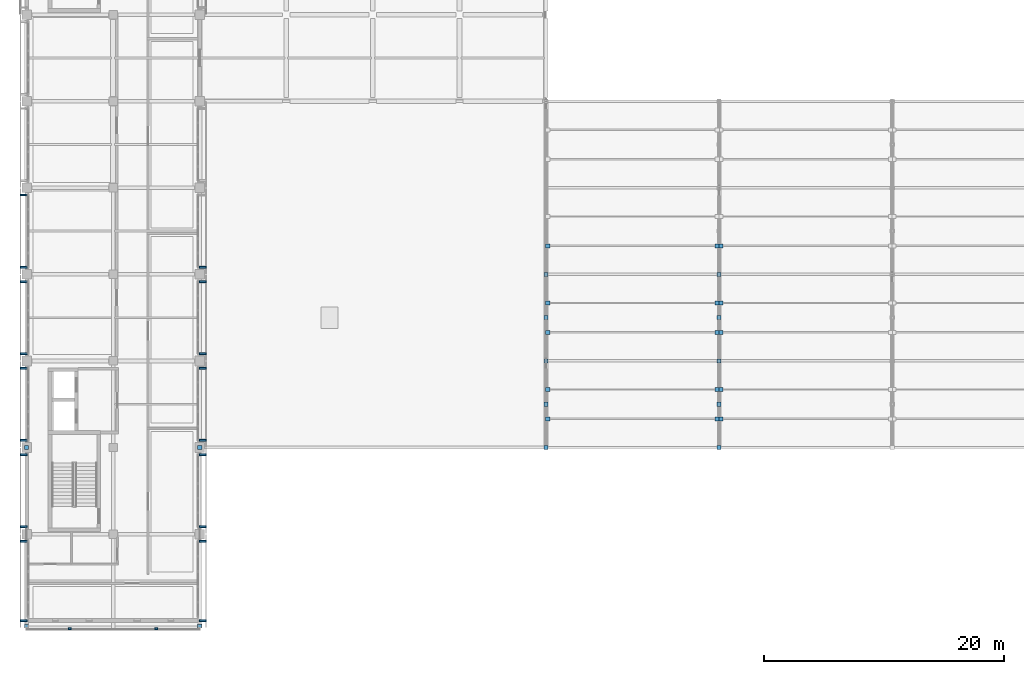
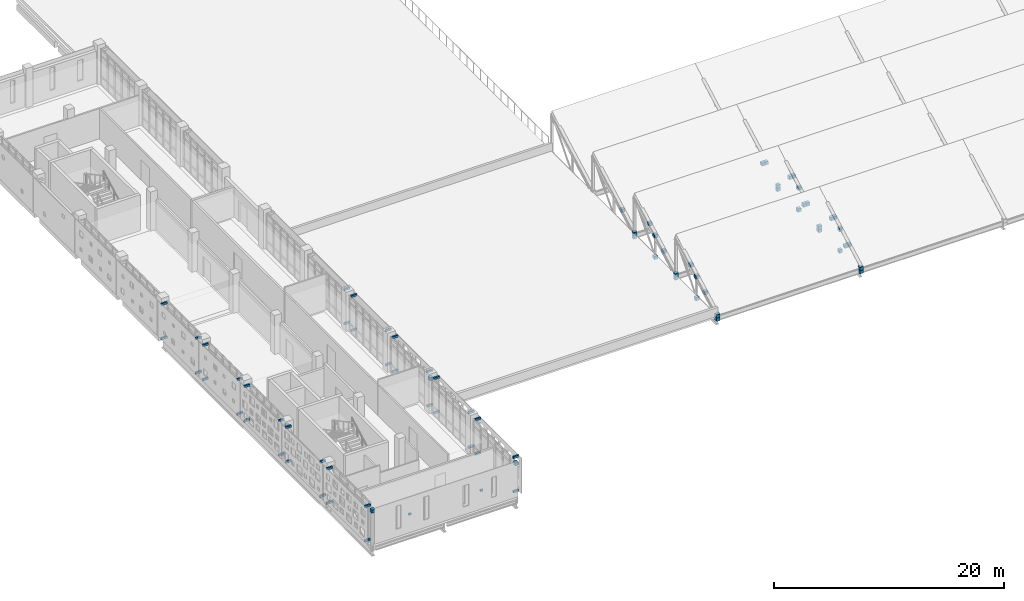
# One storey, part 41 of 51: 79 discrete accessories.
"""IFC4 building model written with IfcOpenShell, lengths in metres."""

from ifc_helpers import new_model, si_unit, direction, frame, origin, origin_2d, place, context, subcontext, project, spatial, rectangle, extrude, material, type_object, element, save


model = new_model("IFC4")

# Units and contexts
model_context = context("Model", 3, precision=1e-05, world=origin(), true_north=direction((0.0, 1.0)))
body_context = subcontext(model_context, "Body", "Model", "MODEL_VIEW")
ifc_project = project(units=[si_unit("LENGTHUNIT", "METRE"), si_unit("AREAUNIT", "SQUARE_METRE"), si_unit("VOLUMEUNIT", "CUBIC_METRE"), si_unit("PLANEANGLEUNIT", "RADIAN"), si_unit("MASSUNIT", "GRAM", prefix="KILO")], contexts=[model_context])

# Site, building, storey
site_placement = place(None, origin())
site = spatial("IfcSite", under=ifc_project, at=site_placement, CompositionType="ELEMENT")
building_placement = place(site_placement, origin())
building = spatial("IfcBuilding", under=site, at=building_placement, Name="Valkovuoma Quantum and Materials Research Institute", CompositionType="ELEMENT")
storey_placement = place(building_placement, frame((0.0, 0.0, 17.280029296875)))
storey = spatial("IfcBuildingStorey", under=building, at=storey_placement, Name="L04", CompositionType="ELEMENT", Elevation=17.280029296875)

# Discrete accessories
ifc_material_1 = material(Name="Steel S355J2", Category="steel")
discrete_accessory_type_1 = type_object("IfcDiscreteAccessoryType", Name="Brk-BRK-01", PredefinedType="BRACKET", material=ifc_material_1)
for number, where, z_axis, x_axis, name in (
    (1, (3.60009765625, 20.919921875, 1.81494140625), (0.0, 0.0, 1.0), (0.0, 1.0, 0.0), "L04 south end skin bracket 1"),
    (2, (10.800048828125, 20.919921875, 1.81494140625), (0.0, 0.0, 1.0), (0.0, 1.0, 0.0), "L04 south end skin bracket 2"),
):
    element("IfcDiscreteAccessory", number, at=place(storey_placement, frame(where, z_axis=z_axis, x_axis=x_axis)), inside=storey, type_object=discrete_accessory_type_1, Name=name, PredefinedType="BRACKET", context=body_context, shape_type="SweptSolid", body=[
        extrude(rectangle(XDim=0.159912109375, YDim=0.239990234375, at=origin_2d()), origin(), (0.0, 0.0, 1.0), 0.179931640625),
    ])
for number, where, z_axis, x_axis, name in (
    (3, (-0.25, 21.60009765625, -0.02978515625), (0.0, 0.0, 1.0), (1.0, 0.0, 0.0), "L04 screen bracket 00145"),
    (4, (-0.25, 28.199951171875, -0.02978515625), (0.0, 0.0, 1.0), (1.0, 0.0, 0.0), "L04 screen bracket 00146"),
    (5, (-0.25, 21.60009765625, 3.6201171875), (0.0, 0.0, 1.0), (1.0, 0.0, 0.0), "L04 screen bracket 00147"),
    (6, (-0.25, 28.199951171875, 3.6201171875), (0.0, 0.0, 1.0), (1.0, 0.0, 0.0), "L04 screen bracket 00148"),
    (7, (14.64990234375, 21.60009765625, -0.02978515625), (0.0, 0.0, 1.0), (1.0, 0.0, 0.0), "L04 screen bracket 00149"),
    (8, (14.64990234375, 28.199951171875, -0.02978515625), (0.0, 0.0, 1.0), (1.0, 0.0, 0.0), "L04 screen bracket 00150"),
    (9, (14.64990234375, 21.60009765625, 3.6201171875), (0.0, 0.0, 1.0), (1.0, 0.0, 0.0), "L04 screen bracket 00151"),
    (10, (14.64990234375, 28.199951171875, 3.6201171875), (0.0, 0.0, 1.0), (1.0, 0.0, 0.0), "L04 screen bracket 00152"),
    (11, (-0.25, 29.39990234375, -0.02978515625), (0.0, 0.0, 1.0), (1.0, 0.0, 0.0), "L04 screen bracket 00153"),
    (12, (-0.25, 35.39990234375, -0.02978515625), (0.0, 0.0, 1.0), (1.0, 0.0, 0.0), "L04 screen bracket 00154"),
    (13, (-0.25, 29.39990234375, 3.6201171875), (0.0, 0.0, 1.0), (1.0, 0.0, 0.0), "L04 screen bracket 00155"),
    (14, (-0.25, 35.39990234375, 3.6201171875), (0.0, 0.0, 1.0), (1.0, 0.0, 0.0), "L04 screen bracket 00156"),
    (15, (14.64990234375, 29.39990234375, -0.02978515625), (0.0, 0.0, 1.0), (1.0, 0.0, 0.0), "L04 screen bracket 00157"),
    (16, (14.64990234375, 35.39990234375, -0.02978515625), (0.0, 0.0, 1.0), (1.0, 0.0, 0.0), "L04 screen bracket 00158"),
    (17, (14.64990234375, 29.39990234375, 3.6201171875), (0.0, 0.0, 1.0), (1.0, 0.0, 0.0), "L04 screen bracket 00159"),
    (18, (14.64990234375, 35.39990234375, 3.6201171875), (0.0, 0.0, 1.0), (1.0, 0.0, 0.0), "L04 screen bracket 00160"),
    (19, (-0.25, 36.60009765625, -0.02978515625), (0.0, 0.0, 1.0), (1.0, 0.0, 0.0), "L04 screen bracket 00161"),
    (20, (-0.25, 42.60009765625, -0.02978515625), (0.0, 0.0, 1.0), (1.0, 0.0, 0.0), "L04 screen bracket 00162"),
    (21, (-0.25, 36.60009765625, 3.6201171875), (0.0, 0.0, 1.0), (1.0, 0.0, 0.0), "L04 screen bracket 00163"),
    (22, (-0.25, 42.60009765625, 3.6201171875), (0.0, 0.0, 1.0), (1.0, 0.0, 0.0), "L04 screen bracket 00164"),
    (23, (14.64990234375, 36.60009765625, -0.02978515625), (0.0, 0.0, 1.0), (1.0, 0.0, 0.0), "L04 screen bracket 00165"),
    (24, (14.64990234375, 42.60009765625, -0.02978515625), (0.0, 0.0, 1.0), (1.0, 0.0, 0.0), "L04 screen bracket 00166"),
    (25, (14.64990234375, 36.60009765625, 3.6201171875), (0.0, 0.0, 1.0), (1.0, 0.0, 0.0), "L04 screen bracket 00167"),
    (26, (14.64990234375, 42.60009765625, 3.6201171875), (0.0, 0.0, 1.0), (1.0, 0.0, 0.0), "L04 screen bracket 00168"),
    (27, (-0.25, 43.800048828125, -0.02978515625), (0.0, 0.0, 1.0), (1.0, 0.0, 0.0), "L04 screen bracket 00169"),
    (28, (-0.25, 49.800048828125, -0.02978515625), (0.0, 0.0, 1.0), (1.0, 0.0, 0.0), "L04 screen bracket 00170"),
    (29, (-0.25, 43.800048828125, 3.6201171875), (0.0, 0.0, 1.0), (1.0, 0.0, 0.0), "L04 screen bracket 00171"),
    (30, (-0.25, 49.800048828125, 3.6201171875), (0.0, 0.0, 1.0), (1.0, 0.0, 0.0), "L04 screen bracket 00172"),
    (31, (14.64990234375, 43.800048828125, -0.02978515625), (0.0, 0.0, 1.0), (1.0, 0.0, 0.0), "L04 screen bracket 00173"),
    (32, (14.64990234375, 49.800048828125, -0.02978515625), (0.0, 0.0, 1.0), (1.0, 0.0, 0.0), "L04 screen bracket 00174"),
    (33, (14.64990234375, 43.800048828125, 3.6201171875), (0.0, 0.0, 1.0), (1.0, 0.0, 0.0), "L04 screen bracket 00175"),
    (34, (14.64990234375, 49.800048828125, 3.6201171875), (0.0, 0.0, 1.0), (1.0, 0.0, 0.0), "L04 screen bracket 00176"),
    (35, (-0.25, 51.0, -0.02978515625), (0.0, 0.0, 1.0), (1.0, 0.0, 0.0), "L04 screen bracket 00177"),
    (36, (-0.25, 57.0, -0.02978515625), (0.0, 0.0, 1.0), (1.0, 0.0, 0.0), "L04 screen bracket 00178"),
    (37, (-0.25, 51.0, 3.6201171875), (0.0, 0.0, 1.0), (1.0, 0.0, 0.0), "L04 screen bracket 00179"),
    (38, (-0.25, 57.0, 3.6201171875), (0.0, 0.0, 1.0), (1.0, 0.0, 0.0), "L04 screen bracket 00180"),
    (39, (14.64990234375, 51.0, -0.02978515625), (0.0, 0.0, 1.0), (1.0, 0.0, 0.0), "L04 screen bracket 00181"),
    (40, (14.64990234375, 51.0, 3.6201171875), (0.0, 0.0, 1.0), (1.0, 0.0, 0.0), "L04 screen bracket 00183"),
):
    element("IfcDiscreteAccessory", number, at=place(storey_placement, frame(where, z_axis=z_axis, x_axis=x_axis)), inside=storey, type_object=discrete_accessory_type_1, Name=name, PredefinedType="BRACKET", context=body_context, shape_type="SweptSolid", body=[
        extrude(rectangle(XDim=0.580078125, YDim=0.159912109375, at=origin_2d()), origin(), (0.0, 0.0, 1.0), 0.219970703125),
    ])
ifc_material_2 = material(Name="Steel S355J2", Category="steel")
discrete_accessory_type_2 = type_object("IfcDiscreteAccessoryType", Name="Conn-END-01", PredefinedType="BRACKET", material=ifc_material_2)
for number, where, z_axis, x_axis, name in (
    (41, (0.0, 21.14990234375, 3.23974609375), (0.0, 0.0, 1.0), (1.0, 0.0, 0.0), "L04 brace end connection assembly 0019"),
    (42, (0.0, 36.0, 3.23974609375), (0.0, 0.0, 1.0), (1.0, 0.0, 0.0), "L04 brace end connection assembly 0020"),
    (43, (14.39990234375, 21.14990234375, 3.23974609375), (0.0, 0.0, 1.0), (1.0, 0.0, 0.0), "L04 brace end connection assembly 0021"),
    (44, (14.39990234375, 36.0, 3.23974609375), (0.0, 0.0, 1.0), (1.0, 0.0, 0.0), "L04 brace end connection assembly 0022"),
    (45, (43.199951171875, 36.0, -0.169921875), (0.0, 0.0, 1.0), (1.0, 0.0, 0.0), "L04 brace end connection assembly 0133"),
    (46, (43.199951171875, 43.199951171875, -0.52001953125), (0.0, 0.0, 1.0), (1.0, 0.0, 0.0), "L04 brace end connection assembly 0134"),
    (47, (43.199951171875, 39.60009765625, -0.52001953125), (0.0, 0.0, 1.0), (1.0, 0.0, 0.0), "L04 brace end connection assembly 0135"),
    (48, (43.199951171875, 39.60009765625, 1.77490234375), (0.0, 0.0, 1.0), (1.0, 0.0, 0.0), "L04 brace end connection assembly 0136"),
    (49, (43.199951171875, 36.0, -0.52001953125), (0.0, 0.0, 1.0), (1.0, 0.0, 0.0), "L04 brace end connection assembly 0137"),
    (50, (43.199951171875, 43.199951171875, -0.169921875), (0.0, 0.0, 1.0), (1.0, 0.0, 0.0), "L04 brace end connection assembly 0138"),
    (51, (43.199951171875, 50.39990234375, -0.52001953125), (0.0, 0.0, 1.0), (1.0, 0.0, 0.0), "L04 brace end connection assembly 0139"),
    (52, (43.199951171875, 46.800048828125, -0.52001953125), (0.0, 0.0, 1.0), (1.0, 0.0, 0.0), "L04 brace end connection assembly 0140"),
    (53, (43.199951171875, 46.800048828125, 1.77490234375), (0.0, 0.0, 1.0), (1.0, 0.0, 0.0), "L04 brace end connection assembly 0141"),
    (54, (43.199951171875, 50.39990234375, -0.169921875), (0.0, 0.0, 1.0), (1.0, 0.0, 0.0), "L04 brace end connection assembly 0142"),
    (55, (57.60009765625, 36.0, -0.169921875), (0.0, 0.0, 1.0), (1.0, 0.0, 0.0), "L04 brace end connection assembly 0150"),
    (56, (57.60009765625, 43.199951171875, -0.52001953125), (0.0, 0.0, 1.0), (1.0, 0.0, 0.0), "L04 brace end connection assembly 0151"),
    (57, (57.60009765625, 39.60009765625, -0.52001953125), (0.0, 0.0, 1.0), (1.0, 0.0, 0.0), "L04 brace end connection assembly 0152"),
    (58, (57.60009765625, 39.60009765625, 1.77490234375), (0.0, 0.0, 1.0), (1.0, 0.0, 0.0), "L04 brace end connection assembly 0153"),
    (59, (57.60009765625, 36.0, -0.52001953125), (0.0, 0.0, 1.0), (1.0, 0.0, 0.0), "L04 brace end connection assembly 0154"),
    (60, (57.60009765625, 43.199951171875, -0.169921875), (0.0, 0.0, 1.0), (1.0, 0.0, 0.0), "L04 brace end connection assembly 0155"),
    (61, (57.60009765625, 50.39990234375, -0.52001953125), (0.0, 0.0, 1.0), (1.0, 0.0, 0.0), "L04 brace end connection assembly 0156"),
    (62, (57.60009765625, 46.800048828125, -0.52001953125), (0.0, 0.0, 1.0), (1.0, 0.0, 0.0), "L04 brace end connection assembly 0157"),
    (63, (57.60009765625, 46.800048828125, 1.77490234375), (0.0, 0.0, 1.0), (1.0, 0.0, 0.0), "L04 brace end connection assembly 0158"),
    (64, (57.60009765625, 50.39990234375, -0.169921875), (0.0, 0.0, 1.0), (1.0, 0.0, 0.0), "L04 brace end connection assembly 0159"),
    (65, (43.35009765625, 38.3759765625, 0.7939453125), (0.0, 0.0, 1.0), (1.0, 0.0, 0.0), "L04 brace end connection assembly 0218"),
    (66, (57.449951171875, 38.3759765625, 0.7939453125), (0.0, 0.0, 1.0), (1.0, 0.0, 0.0), "L04 brace end connection assembly 0219"),
    (67, (43.35009765625, 40.823974609375, 2.2353515625), (0.0, 0.0, 1.0), (1.0, 0.0, 0.0), "L04 brace end connection assembly 0220"),
    (68, (57.449951171875, 40.823974609375, 2.2353515625), (0.0, 0.0, 1.0), (1.0, 0.0, 0.0), "L04 brace end connection assembly 0221"),
    (69, (57.75, 38.3759765625, 0.7939453125), (0.0, 0.0, 1.0), (1.0, 0.0, 0.0), "L04 brace end connection assembly 0222"),
    (70, (57.75, 40.823974609375, 2.2353515625), (0.0, 0.0, 1.0), (1.0, 0.0, 0.0), "L04 brace end connection assembly 0224"),
    (71, (43.35009765625, 45.575927734375, 0.7939453125), (0.0, 0.0, 1.0), (1.0, 0.0, 0.0), "L04 brace end connection assembly 0234"),
    (72, (57.449951171875, 45.575927734375, 0.7939453125), (0.0, 0.0, 1.0), (1.0, 0.0, 0.0), "L04 brace end connection assembly 0235"),
    (73, (43.35009765625, 48.02392578125, 2.2353515625), (0.0, 0.0, 1.0), (1.0, 0.0, 0.0), "L04 brace end connection assembly 0236"),
    (74, (57.449951171875, 48.02392578125, 2.2353515625), (0.0, 0.0, 1.0), (1.0, 0.0, 0.0), "L04 brace end connection assembly 0237"),
    (75, (57.75, 45.575927734375, 0.7939453125), (0.0, 0.0, 1.0), (1.0, 0.0, 0.0), "L04 brace end connection assembly 0238"),
    (76, (57.75, 48.02392578125, 2.2353515625), (0.0, 0.0, 1.0), (1.0, 0.0, 0.0), "L04 brace end connection assembly 0240"),
    (77, (43.35009765625, 52.77587890625, 0.7939453125), (0.0, 0.0, 1.0), (1.0, 0.0, 0.0), "L04 brace end connection assembly 0250"),
    (78, (57.449951171875, 52.77587890625, 0.7939453125), (0.0, 0.0, 1.0), (1.0, 0.0, 0.0), "L04 brace end connection assembly 0251"),
    (79, (57.75, 52.77587890625, 0.7939453125), (0.0, 0.0, 1.0), (1.0, 0.0, 0.0), "L04 brace end connection assembly 0254"),
):
    element("IfcDiscreteAccessory", number, at=place(storey_placement, frame(where, z_axis=z_axis, x_axis=x_axis)), inside=storey, type_object=discrete_accessory_type_2, Name=name, PredefinedType="BRACKET", context=body_context, shape_type="SweptSolid", body=[
        extrude(rectangle(XDim=0.340087890625, YDim=0.340087890625, at=origin_2d()), origin(), (0.0, 0.0, 1.0), 0.340087890625),
    ])

save(model, "model.ifc")
